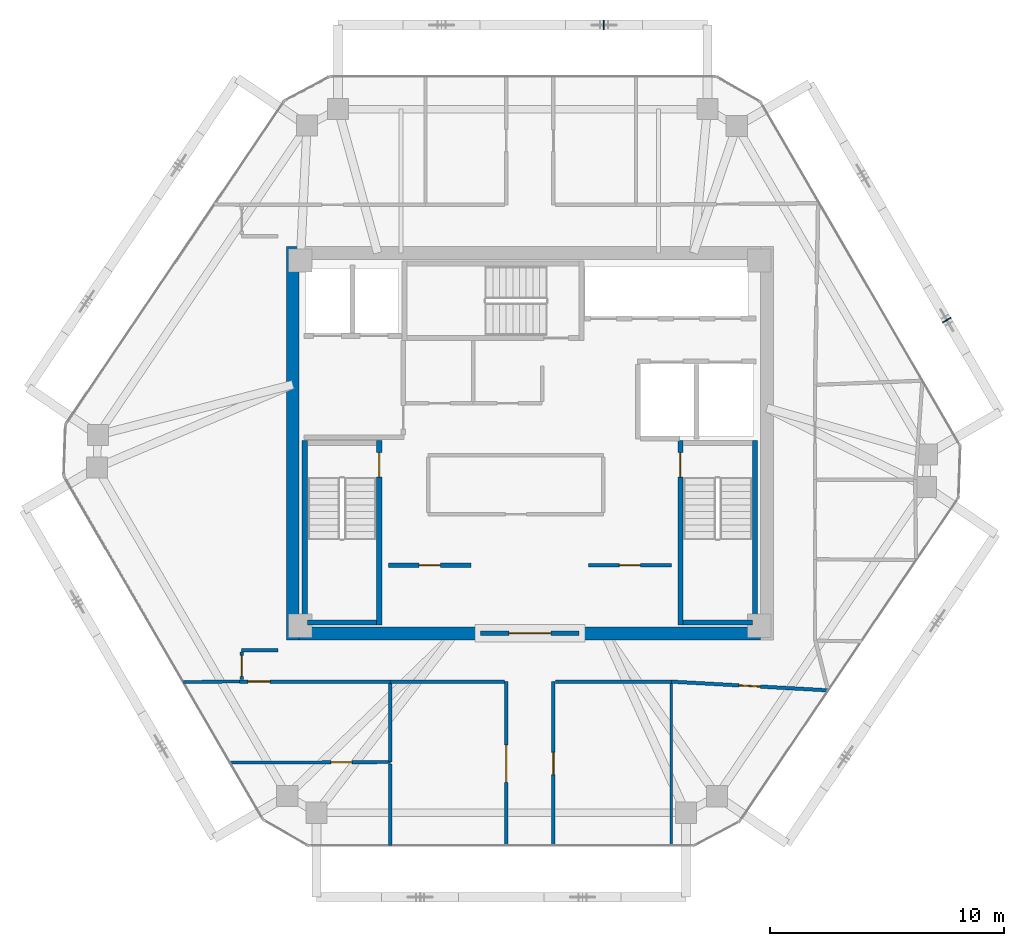
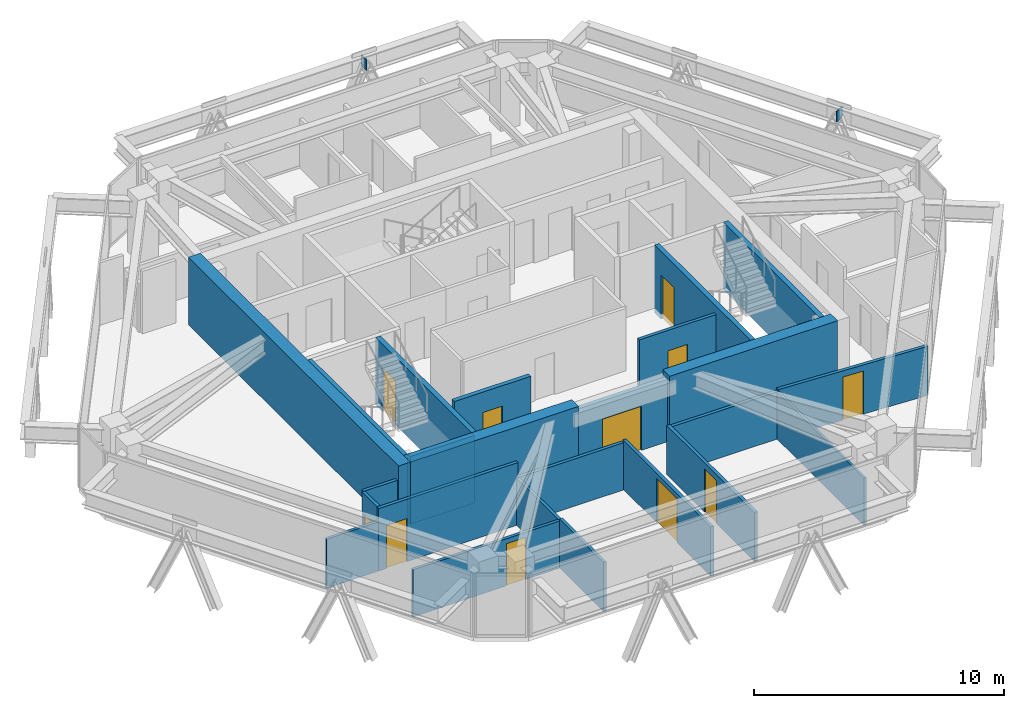
# One storey, part 9 of 13: 25 walls, 11 doors, 2 plates, 11 openings.
"""IFC4 building model written with IfcOpenShell, lengths in metres."""

from ifc_helpers import new_model, si_unit, direction, frame, frame_2d, origin, origin_2d, place, context, subcontext, project, spatial, rectangle, extrude, source, transform, mapped, material, layer, layer_set, type_object, type_shapes, element, fill, save


model = new_model("IFC4")

# Units and contexts
model_context = context("Model", 3, precision=1e-05, world=origin(), true_north=direction((0.0, 1.0)))
body_context = subcontext(model_context, "Body", "Model", "MODEL_VIEW")
ifc_project = project(units=[si_unit("LENGTHUNIT", "METRE"), si_unit("AREAUNIT", "SQUARE_METRE"), si_unit("VOLUMEUNIT", "CUBIC_METRE"), si_unit("PLANEANGLEUNIT", "RADIAN"), si_unit("MASSUNIT", "GRAM", prefix="KILO")], contexts=[model_context])

# Site, building, storey
site_placement = place(None, origin())
site = spatial("IfcSite", under=ifc_project, at=site_placement, CompositionType="ELEMENT")
building_placement = place(site_placement, origin())
building = spatial("IfcBuilding", under=site, at=building_placement, Name="Durnholm Broadcast Tower", CompositionType="ELEMENT")
storey_placement = place(building_placement, frame((0.0, 0.0, 241.39990234375)))
storey = spatial("IfcBuildingStorey", under=building, at=storey_placement, Name="L67", CompositionType="ELEMENT", Elevation=241.39990234375)

# Plates
ifc_material_1 = material(Name="Steel ASTM A572 Grade 50", Category="steel")
ifc_layer_1 = layer(ifc_material_1, 0.044921875)
ifc_layer_set_1 = layer_set([ifc_layer_1], Name="Steel ASTM A572 Grade 50")
plate_type = type_object("IfcPlateType", Name="PLT-KN-STIF", PredefinedType="SHEET", material=ifc_layer_set_1)
shared_shape_1 = source(origin(), body_context, "Body", "SweptSolid", [
    extrude(rectangle(XDim=0.044921875, YDim=0.419921875, at=origin_2d()), origin(), (0.0, 0.0, 1.0), 0.52001953125),
])
type_shapes(plate_type, [shared_shape_1])
for number, where, z_axis, x_axis, name in (
    (1, (17.806640625, 5.2548828125, 2.048583984375), (0.0, 0.0, 1.0), (-0.501963660617, 0.864888711581, 0.0), "L67 welded diagrid node stiffener plate F3"),
    (2, (3.164794921875, 17.862060546875, 2.048583984375), (0.0, 0.0, 1.0), (-1.0, 0.0, 0.0), "L67 welded diagrid node stiffener plate F4"),
):
    element("IfcPlate", number, at=place(storey_placement, frame(where, z_axis=z_axis, x_axis=x_axis)), inside=storey, type_object=plate_type, Name=name, PredefinedType="SHEET", context=body_context, shape_type="MappedRepresentation", body=[
        mapped(shared_shape_1, transform((0.0, 0.0, 0.0), x_axis=(1.0, 0.0, 0.0), y_axis=(0.0, 1.0, 0.0), z_axis=(0.0, 0.0, 1.0), scale=1.0)),
    ])

# Walls
ifc_material_2 = material(Name="Concrete C70/85", Category="concrete")
ifc_layer_2 = layer(ifc_material_2, 0.550048828125)
ifc_layer_set_2 = layer_set([ifc_layer_2], Name="Concrete C70/85")
wall_type_1 = type_object("IfcWallType", Name="WALL-CW-550", PredefinedType="SHEAR", material=ifc_layer_set_2)
wall_1_placement = place(storey_placement, frame((-10.125, -8.39990234375, 0.0), z_axis=(0.0, 0.0, 1.0), x_axis=(0.0, 1.0, 0.0)))
element("IfcWall", 3, at=wall_1_placement, inside=storey, type_object=wall_type_1, Name="L67 central core shear wall CW-WEST", PredefinedType="SHEAR", context=body_context, shape_type="SweptSolid", body=[
    extrude(rectangle(XDim=16.7998046875, YDim=0.550048828125, at=frame_2d((8.39990234375, 0.0))), origin(), (0.0, 0.0, 1.0), 3.300048828125),
])
for number, where, z_axis, x_axis, name in (
    (4, (-9.85009765625, -8.125, 0.0), (0.0, 0.0, 1.0), (1.0, 0.0, 0.0), "L67 central core shear wall CW-S1"),
    (5, (2.10009765625, -8.125, 0.0), (0.0, 0.0, 1.0), (1.0, 0.0, 0.0), "L67 central core shear wall CW-S2"),
):
    element("IfcWall", number, at=place(storey_placement, frame(where, z_axis=z_axis, x_axis=x_axis)), inside=storey, type_object=wall_type_1, Name=name, PredefinedType="SHEAR", context=body_context, shape_type="SweptSolid", body=[
        extrude(rectangle(XDim=7.75, YDim=0.550048828125, at=frame_2d((3.875, 0.0))), origin(), (0.0, 0.0, 1.0), 3.300048828125),
    ])

# Wall, opening, door
ifc_material_3 = material(Name="Fire-Rated Gypsum Shaftwall", Category="concrete")
ifc_layer_3 = layer(ifc_material_3, 0.199951171875)
ifc_layer_set_3 = layer_set([ifc_layer_3], Name="Fire-Rated Gypsum Shaftwall")
wall_type_2 = type_object("IfcWallType", Name="WALL-LOB-200", PredefinedType="SOLIDWALL", material=ifc_layer_set_3)
wall_2_placement = place(storey_placement, frame((-2.10009765625, -8.125, 0.0), z_axis=(0.0, 0.0, 1.0), x_axis=(1.0, 0.0, 0.0)))
wall_2 = element("IfcWall", 6, at=wall_2_placement, inside=storey, type_object=wall_type_2, Name="L67 south core lobby fire screen", PredefinedType="SOLIDWALL", context=body_context, shape_type="SweptSolid", body=[
    extrude(rectangle(XDim=4.2001953125, YDim=0.199951171875, at=frame_2d((2.10009765625, 0.0))), origin(), (0.0, 0.0, 1.0), 3.045166015625),
])
opening_1_placement = place(wall_2_placement, frame((1.199951171875, 0.0, 0.0)))
opening_1 = element("IfcOpeningElement", 7, at=opening_1_placement, cuts=wall_2, Name="Opening DP-60", PredefinedType="OPENING", context=body_context, shape_type="SweptSolid", body=[
    extrude(rectangle(XDim=1.800048828125, YDim=2.14990234375, at=frame_2d((0.89990234375, 1.074951171875))), frame((0.0, 0.10986328125, 0.0), z_axis=(0.0, -1.0, 0.0), x_axis=(1.0, 0.0, 0.0)), (0.0, 0.0, 1.0), 0.219970703125),
])
ifc_material_4 = material(Name="Fire-Rated Double Corridor Door", Category="steel")
ifc_layer_4 = layer(ifc_material_4, 0.050048828125)
ifc_layer_set_4 = layer_set([ifc_layer_4], Name="Fire-Rated Double Corridor Door")
door_type_1 = type_object("IfcDoorType", Name="DOOR-PAIR-FD60", OperationType="DOUBLE_DOOR_SINGLE_SWING", PredefinedType="DOOR", material=ifc_layer_set_4)
shared_shape_2 = source(origin(), body_context, "Body", "SweptSolid", [
    extrude(rectangle(XDim=1.800048828125, YDim=2.14990234375, at=frame_2d((0.89990234375, 1.074951171875))), frame((0.0, 0.02490234375, 0.0), z_axis=(0.0, -1.0, 0.0), x_axis=(1.0, 0.0, 0.0)), (0.0, 0.0, 1.0), 0.050048828125),
])
type_shapes(door_type_1, [shared_shape_2])
door_1_placement = place(opening_1_placement, origin())
door_1 = element("IfcDoor", 8, at=door_1_placement, inside=storey, type_object=door_type_1, Name="L67 south core lobby double fire door", OperationType="DOUBLE_DOOR_SINGLE_SWING", OverallHeight=2.14990234375, OverallWidth=1.800048828125, PredefinedType="DOOR", context=body_context, shape_type="MappedRepresentation", body=[
    mapped(shared_shape_2, transform((0.0, 0.0, 0.0), x_axis=(1.0, 0.0, 0.0), y_axis=(0.0, 1.0, 0.0), z_axis=(0.0, 0.0, 1.0), scale=1.0)),
])
fill(opening_1, door_1)

wall_3_placement = place(storey_placement, frame((-6.0400390625, -5.2099609375, 0.0), z_axis=(0.0, 0.0, 1.0), x_axis=(1.0, 0.0, 0.0)))
wall_3 = element("IfcWall", 9, at=wall_3_placement, inside=storey, type_object=wall_type_2, Name="L67 Broadcast Signal Rack Room corridor partition", PredefinedType="SOLIDWALL", context=body_context, shape_type="SweptSolid", body=[
    extrude(rectangle(XDim=3.530029296875, YDim=0.199951171875, at=frame_2d((1.76513671875, 0.0))), origin(), (0.0, 0.0, 1.0), 3.045166015625),
])
opening_2_placement = place(wall_3_placement, frame((1.31494140625, 0.0, 0.0)))
opening_2 = element("IfcOpeningElement", 10, at=opening_2_placement, cuts=wall_3, Name="Opening DC-60R", PredefinedType="OPENING", context=body_context, shape_type="SweptSolid", body=[
    extrude(rectangle(XDim=0.89990234375, YDim=2.050048828125, at=frame_2d((0.449951171875, 1.02490234375))), frame((0.0, 0.10986328125, 0.0), z_axis=(0.0, -1.0, 0.0), x_axis=(1.0, 0.0, 0.0)), (0.0, 0.0, 1.0), 0.219970703125),
])
ifc_material_5 = material(Name="Fire-Rated Core Service Door", Category="steel")
ifc_layer_5 = layer(ifc_material_5, 0.050048828125)
ifc_layer_set_5 = layer_set([ifc_layer_5], Name="Fire-Rated Core Service Door")
door_type_2 = type_object("IfcDoorType", Name="DOOR-CORE-FD60-R", OperationType="NOTDEFINED", PredefinedType="DOOR", material=ifc_layer_set_5)
shared_shape_3 = source(origin(), body_context, "Body", "SweptSolid", [
    extrude(rectangle(XDim=0.89990234375, YDim=2.050048828125, at=frame_2d((0.449951171875, 1.02490234375))), frame((0.0, 0.02490234375, 0.0), z_axis=(0.0, -1.0, 0.0), x_axis=(1.0, 0.0, 0.0)), (0.0, 0.0, 1.0), 0.050048828125),
])
type_shapes(door_type_2, [shared_shape_3])
door_2_placement = place(opening_2_placement, origin())
door_2 = element("IfcDoor", 11, at=door_2_placement, inside=storey, type_object=door_type_2, Name="L67 Broadcast Signal Rack Room entrance door", OperationType="SINGLE_SWING_RIGHT", OverallHeight=2.050048828125, OverallWidth=0.89990234375, PredefinedType="DOOR", context=body_context, shape_type="MappedRepresentation", body=[
    mapped(shared_shape_3, transform((0.0, 0.0, 0.0), x_axis=(1.0, 0.0, 0.0), y_axis=(0.0, 1.0, 0.0), z_axis=(0.0, 0.0, 1.0), scale=1.0)),
])
fill(opening_2, door_2)

# Wall
ifc_material_6 = material(Name="Operable Acoustic Panel Partition", Category="aluminium")
ifc_layer_6 = layer(ifc_material_6, 0.110107421875)
ifc_layer_set_6 = layer_set([ifc_layer_6], Name="Operable Acoustic Panel Partition")
wall_type_3 = type_object("IfcWallType", Name="WALL-MOV-110", PredefinedType="MOVABLE", material=ifc_layer_set_6)
wall_4_placement = place(storey_placement, frame((6.0400390625, -10.263671875, 0.0), z_axis=(0.0, 0.0, 1.0), x_axis=(0.0, -1.0, 0.0)))
element("IfcWall", 12, at=wall_4_placement, inside=storey, type_object=wall_type_3, Name="L67 room dividing partition 16.17", PredefinedType="MOVABLE", context=body_context, shape_type="SweptSolid", body=[
    extrude(rectangle(XDim=6.92236328125, YDim=0.110107421875, at=frame_2d((3.461181640625, 0.0))), origin(), (0.0, 0.0, 1.0), 2.301513671875),
])

# Wall, opening, door
ifc_material_7 = material(Name="Gypsum Metal Stud Partition", Category="concrete")
ifc_layer_7 = layer(ifc_material_7, 0.135009765625)
ifc_layer_set_7 = layer_set([ifc_layer_7], Name="Gypsum Metal Stud Partition")
wall_type_4 = type_object("IfcWallType", Name="WALL-PART-135", PredefinedType="PARTITIONING", material=ifc_layer_set_7)
wall_5_placement = place(storey_placement, frame((-12.803466796875, -13.64306640625, 0.0), z_axis=(0.0, 0.0, 1.0), x_axis=(0.999995721242, 0.002925320151, 0.0)))
wall_5 = element("IfcWall", 13, at=wall_5_placement, inside=storey, type_object=wall_type_4, Name="L67 room dividing partition 13.14", PredefinedType="PARTITIONING", context=body_context, shape_type="SweptSolid", body=[
    extrude(rectangle(XDim=6.843505859375, YDim=0.135009765625, at=frame_2d((3.421875, 0.0))), origin(), (0.0, 0.0, 1.0), 2.301513671875),
])
opening_3_placement = place(wall_5_placement, frame((4.31005859375, 0.0, 0.0)))
opening_3 = element("IfcOpeningElement", 14, at=opening_3_placement, cuts=wall_5, Name="Opening DW-90L", PredefinedType="OPENING", context=body_context, shape_type="SweptSolid", body=[
    extrude(rectangle(XDim=0.89990234375, YDim=2.050048828125, at=frame_2d((0.449951171875, 1.02490234375))), frame((0.0, 0.07763671875, 0.0), z_axis=(0.0, -1.0, 0.0), x_axis=(1.0, 0.0, 0.0)), (0.0, 0.0, 1.0), 0.155029296875),
])
ifc_material_8 = material(Name="Laminate Restroom Door", Category="steel")
ifc_layer_8 = layer(ifc_material_8, 0.050048828125)
ifc_layer_set_8 = layer_set([ifc_layer_8], Name="Laminate Restroom Door")
door_type_3 = type_object("IfcDoorType", Name="DOOR-WC-900L", OperationType="NOTDEFINED", PredefinedType="DOOR", material=ifc_layer_set_8)
shared_shape_4 = source(origin(), body_context, "Body", "SweptSolid", [
    extrude(rectangle(XDim=0.89990234375, YDim=2.050048828125, at=frame_2d((0.449951171875, 1.02490234375))), frame((0.0, 0.02490234375, 0.0), z_axis=(0.0, -1.0, 0.0), x_axis=(1.0, 0.0, 0.0)), (0.0, 0.0, 1.0), 0.050048828125),
])
type_shapes(door_type_3, [shared_shape_4])
door_3_placement = place(opening_3_placement, origin())
door_3 = element("IfcDoor", 15, at=door_3_placement, inside=storey, type_object=door_type_3, Name="L67 Pantry Kitchen connecting door", OperationType="SINGLE_SWING_LEFT", OverallHeight=2.050048828125, OverallWidth=0.89990234375, PredefinedType="DOOR", context=body_context, shape_type="MappedRepresentation", body=[
    mapped(shared_shape_4, transform((0.0, 0.0, 0.0), x_axis=(1.0, 0.0, 0.0), y_axis=(0.0, 1.0, 0.0), z_axis=(0.0, 0.0, 1.0), scale=1.0)),
])
fill(opening_3, door_3)

# Walls
wall_6_placement = place(storey_placement, frame((-5.9599609375, -13.694580078125, 0.0), z_axis=(0.0, 0.0, 1.0), x_axis=(0.0, -1.0, 0.0)))
element("IfcWall", 16, at=wall_6_placement, inside=storey, type_object=wall_type_4, Name="L67 room dividing partition 13.15", PredefinedType="PARTITIONING", context=body_context, shape_type="SweptSolid", body=[
    extrude(rectangle(XDim=3.491455078125, YDim=0.135009765625, at=frame_2d((1.74560546875, 0.0))), origin(), (0.0, 0.0, 1.0), 2.39892578125),
])
wall_7_placement = place(storey_placement, frame((-5.9599609375, -10.259033203125, 0.0), z_axis=(0.0, 0.0, 1.0), x_axis=(0.0, -1.0, 0.0)))
element("IfcWall", 17, at=wall_7_placement, inside=storey, type_object=wall_type_4, Name="L67 room dividing partition 14.15", PredefinedType="PARTITIONING", context=body_context, shape_type="SweptSolid", body=[
    extrude(rectangle(XDim=3.364013671875, YDim=0.135009765625, at=frame_2d((1.68212890625, 0.0))), origin(), (0.0, 0.0, 1.0), 2.301513671875),
])
wall_8_placement = place(storey_placement, frame((-14.801513671875, -10.199951171875, 0.0), z_axis=(0.0, 0.0, 1.0), x_axis=(0.999968020968, 0.007997314604, 0.0)))
element("IfcWall", 18, at=wall_8_placement, inside=storey, type_object=wall_type_4, Name="L67 room dividing partition 14.18", PredefinedType="PARTITIONING", context=body_context, shape_type="SweptSolid", body=[
    extrude(rectangle(XDim=2.41162109375, YDim=0.135009765625, at=frame_2d((1.205810546875, 0.0))), origin(), (0.0, 0.0, 1.0), 2.39892578125),
])

# Wall, opening, door
ifc_material_9 = material(Name="Acoustic Gypsum Stud Partition", Category="concrete")
ifc_layer_9 = layer(ifc_material_9, 0.14990234375)
ifc_layer_set_9 = layer_set([ifc_layer_9], Name="Acoustic Gypsum Stud Partition")
wall_type_5 = type_object("IfcWallType", Name="WALL-PART-150", PredefinedType="PARTITIONING", material=ifc_layer_set_9)
wall_9_placement = place(storey_placement, frame((2.510009765625, -5.2099609375, 0.0), z_axis=(0.0, 0.0, 1.0), x_axis=(1.0, 0.0, 0.0)))
wall_9 = element("IfcWall", 19, at=wall_9_placement, inside=storey, type_object=wall_type_5, Name="L67 Editorial Beverage Pantry corridor partition", PredefinedType="PARTITIONING", context=body_context, shape_type="SweptSolid", body=[
    extrude(rectangle(XDim=3.530029296875, YDim=0.14990234375, at=frame_2d((1.76513671875, 0.0))), origin(), (0.0, 0.0, 1.0), 3.045166015625),
])
opening_4_placement = place(wall_9_placement, frame((1.31494140625, 0.0, 0.0)))
opening_4 = element("IfcOpeningElement", 20, at=opening_4_placement, cuts=wall_9, Name="Opening DC-60L", PredefinedType="OPENING", context=body_context, shape_type="SweptSolid", body=[
    extrude(rectangle(XDim=0.89990234375, YDim=2.050048828125, at=frame_2d((0.449951171875, 1.02490234375))), frame((0.0, 0.0849609375, 0.0), z_axis=(0.0, -1.0, 0.0), x_axis=(1.0, 0.0, 0.0)), (0.0, 0.0, 1.0), 0.169921875),
])
ifc_layer_10 = layer(ifc_material_5, 0.050048828125)
ifc_layer_set_10 = layer_set([ifc_layer_10], Name="Fire-Rated Core Service Door")
door_type_4 = type_object("IfcDoorType", Name="DOOR-CORE-FD60-L", OperationType="NOTDEFINED", PredefinedType="DOOR", material=ifc_layer_set_10)
shared_shape_5 = source(origin(), body_context, "Body", "SweptSolid", [
    extrude(rectangle(XDim=0.89990234375, YDim=2.050048828125, at=frame_2d((0.449951171875, 1.02490234375))), frame((0.0, 0.02490234375, 0.0), z_axis=(0.0, -1.0, 0.0), x_axis=(1.0, 0.0, 0.0)), (0.0, 0.0, 1.0), 0.050048828125),
])
type_shapes(door_type_4, [shared_shape_5])
door_4_placement = place(opening_4_placement, origin())
door_4 = element("IfcDoor", 21, at=door_4_placement, inside=storey, type_object=door_type_4, Name="L67 Editorial Beverage Pantry entrance door", OperationType="SINGLE_SWING_LEFT", OverallHeight=2.050048828125, OverallWidth=0.89990234375, PredefinedType="DOOR", context=body_context, shape_type="MappedRepresentation", body=[
    mapped(shared_shape_5, transform((0.0, 0.0, 0.0), x_axis=(1.0, 0.0, 0.0), y_axis=(0.0, 1.0, 0.0), z_axis=(0.0, 0.0, 1.0), scale=1.0)),
])
fill(opening_4, door_4)

wall_10_placement = place(storey_placement, frame((-12.389892578125, -10.179931640625, 0.0), z_axis=(0.0, 0.0, 1.0), x_axis=(1.0, 0.0, 0.0)))
wall_10 = element("IfcWall", 22, at=wall_10_placement, inside=storey, type_object=wall_type_5, Name="L67 Standards Office corridor partition", PredefinedType="PARTITIONING", context=body_context, shape_type="SweptSolid", body=[
    extrude(rectangle(XDim=6.429931640625, YDim=0.14990234375, at=frame_2d((3.21484375, 0.0))), origin(), (0.0, 0.0, 1.0), 3.045166015625),
])
opening_5_placement = place(wall_10_placement, frame((0.35009765625, 0.0, 0.0)))
opening_5 = element("IfcOpeningElement", 23, at=opening_5_placement, cuts=wall_10, Name="Opening DR-95R", PredefinedType="OPENING", context=body_context, shape_type="SweptSolid", body=[
    extrude(rectangle(XDim=0.949951171875, YDim=2.10009765625, at=frame_2d((0.47509765625, 1.050048828125))), frame((0.0, 0.0849609375, 0.0), z_axis=(0.0, -1.0, 0.0), x_axis=(1.0, 0.0, 0.0)), (0.0, 0.0, 1.0), 0.169921875),
])
ifc_material_10 = material(Name="Acoustic Oak Veneer Timber Door", Category="wood")
ifc_layer_11 = layer(ifc_material_10, 0.050048828125)
ifc_layer_set_11 = layer_set([ifc_layer_11], Name="Acoustic Oak Veneer Timber Door")
door_type_5 = type_object("IfcDoorType", Name="DOOR-RM-950R", OperationType="NOTDEFINED", PredefinedType="DOOR", material=ifc_layer_set_11)
shared_shape_6 = source(origin(), body_context, "Body", "SweptSolid", [
    extrude(rectangle(XDim=0.949951171875, YDim=2.10009765625, at=frame_2d((0.47509765625, 1.050048828125))), frame((0.0, 0.02490234375, 0.0), z_axis=(0.0, -1.0, 0.0), x_axis=(1.0, 0.0, 0.0)), (0.0, 0.0, 1.0), 0.050048828125),
])
type_shapes(door_type_5, [shared_shape_6])
door_5_placement = place(opening_5_placement, origin())
door_5 = element("IfcDoor", 24, at=door_5_placement, inside=storey, type_object=door_type_5, Name="L67 Standards Office entrance door", OperationType="SINGLE_SWING_RIGHT", OverallHeight=2.10009765625, OverallWidth=0.949951171875, PredefinedType="DOOR", context=body_context, shape_type="MappedRepresentation", body=[
    mapped(shared_shape_6, transform((0.0, 0.0, 0.0), x_axis=(1.0, 0.0, 0.0), y_axis=(0.0, 1.0, 0.0), z_axis=(0.0, 0.0, 1.0), scale=1.0)),
])
fill(opening_5, door_5)

wall_11_placement = place(storey_placement, frame((-1.010009765625, -10.179931640625, 0.0), z_axis=(0.0, 0.0, 1.0), x_axis=(0.0, -1.0, 0.0)))
wall_11 = element("IfcWall", 25, at=wall_11_placement, inside=storey, type_object=wall_type_5, Name="L67 International Council Hall corridor partition", PredefinedType="PARTITIONING", context=body_context, shape_type="SweptSolid", body=[
    extrude(rectangle(XDim=7.006103515625, YDim=0.14990234375, at=frame_2d((3.5029296875, 0.0))), origin(), (0.0, 0.0, 1.0), 2.39892578125),
])
opening_6_placement = place(wall_11_placement, frame((2.702880859375, 0.0, 0.0)))
opening_6 = element("IfcOpeningElement", 26, at=opening_6_placement, cuts=wall_11, Name="Opening DST-160", PredefinedType="OPENING", context=body_context, shape_type="SweptSolid", body=[
    extrude(rectangle(XDim=1.60009765625, YDim=2.14990234375, at=frame_2d((0.800048828125, 1.074951171875))), frame((0.0, 0.0849609375, 0.0), z_axis=(0.0, -1.0, 0.0), x_axis=(1.0, 0.0, 0.0)), (0.0, 0.0, 1.0), 0.169921875),
])
ifc_material_11 = material(Name="Acoustic Broadcast Studio Sound-Lock Door", Category="steel")
ifc_layer_12 = layer(ifc_material_11, 0.050048828125)
ifc_layer_set_12 = layer_set([ifc_layer_12], Name="Acoustic Broadcast Studio Sound-Lock Door")
door_type_6 = type_object("IfcDoorType", Name="DOOR-STU-1600", OperationType="DOUBLE_DOOR_SINGLE_SWING", PredefinedType="DOOR", material=ifc_layer_set_12)
shared_shape_7 = source(origin(), body_context, "Body", "SweptSolid", [
    extrude(rectangle(XDim=1.60009765625, YDim=2.14990234375, at=frame_2d((0.800048828125, 1.074951171875))), frame((0.0, 0.02490234375, 0.0), z_axis=(0.0, -1.0, 0.0), x_axis=(1.0, 0.0, 0.0)), (0.0, 0.0, 1.0), 0.050048828125),
])
type_shapes(door_type_6, [shared_shape_7])
door_6_placement = place(opening_6_placement, origin())
door_6 = element("IfcDoor", 27, at=door_6_placement, inside=storey, type_object=door_type_6, Name="L67 International Council Hall entrance door", OperationType="DOUBLE_DOOR_SINGLE_SWING", OverallHeight=2.14990234375, OverallWidth=1.60009765625, PredefinedType="DOOR", context=body_context, shape_type="MappedRepresentation", body=[
    mapped(shared_shape_7, transform((0.0, 0.0, 0.0), x_axis=(1.0, 0.0, 0.0), y_axis=(0.0, 1.0, 0.0), z_axis=(0.0, 0.0, 1.0), scale=1.0)),
])
fill(opening_6, door_6)

# Wall
wall_12_placement = place(storey_placement, frame((-5.9599609375, -10.179931640625, 0.0), z_axis=(0.0, 0.0, 1.0), x_axis=(1.0, 0.0, 0.0)))
element("IfcWall", 28, at=wall_12_placement, inside=storey, type_object=wall_type_5, Name="L67 International Council Hall corridor partition", PredefinedType="PARTITIONING", context=body_context, shape_type="SweptSolid", body=[
    extrude(rectangle(XDim=4.870849609375, YDim=0.14990234375, at=frame_2d((2.435546875, 0.0))), origin(), (0.0, 0.0, 1.0), 2.301513671875),
])

# Wall, opening, door
wall_13_placement = place(storey_placement, frame((1.010009765625, -17.18603515625, 0.0), z_axis=(0.0, 0.0, 1.0), x_axis=(0.0, 1.0, 0.0)))
wall_13 = element("IfcWall", 29, at=wall_13_placement, inside=storey, type_object=wall_type_5, Name="L67 Global Bureaus Meeting Room corridor partition", PredefinedType="PARTITIONING", context=body_context, shape_type="SweptSolid", body=[
    extrude(rectangle(XDim=7.006103515625, YDim=0.14990234375, at=frame_2d((3.5029296875, 0.0))), origin(), (0.0, 0.0, 1.0), 2.39892578125),
])
opening_7_placement = place(wall_13_placement, frame((3.028076171875, 0.0, 0.0)))
opening_7 = element("IfcOpeningElement", 30, at=opening_7_placement, cuts=wall_13, Name="Opening DR-95R", PredefinedType="OPENING", context=body_context, shape_type="SweptSolid", body=[
    extrude(rectangle(XDim=0.949951171875, YDim=2.10009765625, at=frame_2d((0.47509765625, 1.050048828125))), frame((0.0, 0.0849609375, 0.0), z_axis=(0.0, -1.0, 0.0), x_axis=(1.0, 0.0, 0.0)), (0.0, 0.0, 1.0), 0.169921875),
])
door_7_placement = place(opening_7_placement, origin())
door_7 = element("IfcDoor", 31, at=door_7_placement, inside=storey, type_object=door_type_5, Name="L67 Global Bureaus Meeting Room entrance door", OperationType="SINGLE_SWING_RIGHT", OverallHeight=2.10009765625, OverallWidth=0.949951171875, PredefinedType="DOOR", context=body_context, shape_type="MappedRepresentation", body=[
    mapped(shared_shape_6, transform((0.0, 0.0, 0.0), x_axis=(1.0, 0.0, 0.0), y_axis=(0.0, 1.0, 0.0), z_axis=(0.0, 0.0, 1.0), scale=1.0)),
])
fill(opening_7, door_7)

# Wall
wall_14_placement = place(storey_placement, frame((1.089111328125, -10.179931640625, 0.0), z_axis=(0.0, 0.0, 1.0), x_axis=(1.0, 0.0, 0.0)))
element("IfcWall", 32, at=wall_14_placement, inside=storey, type_object=wall_type_5, Name="L67 Global Bureaus Meeting Room corridor partition", PredefinedType="PARTITIONING", context=body_context, shape_type="SweptSolid", body=[
    extrude(rectangle(XDim=4.950927734375, YDim=0.14990234375, at=frame_2d((2.4755859375, 0.0))), origin(), (0.0, 0.0, 1.0), 2.301513671875),
])

# Wall, opening, door
wall_15_placement = place(storey_placement, frame((6.0400390625, -10.1845703125, 0.0), z_axis=(0.0, 0.0, 1.0), x_axis=(0.998451046252, -0.055637291801, 0.0)))
wall_15 = element("IfcWall", 33, at=wall_15_placement, inside=storey, type_object=wall_type_5, Name="L67 Open Plan Broadcast Workspace 4 corridor partition", PredefinedType="PARTITIONING", context=body_context, shape_type="SweptSolid", body=[
    extrude(rectangle(XDim=6.70947265625, YDim=0.14990234375, at=frame_2d((3.354736328125, 0.0))), origin(), (0.0, 0.0, 1.0), 2.39892578125),
])
opening_8_placement = place(wall_15_placement, frame((2.89453125, 0.0, 0.0)))
opening_8 = element("IfcOpeningElement", 34, at=opening_8_placement, cuts=wall_15, Name="Opening DR-92L", PredefinedType="OPENING", context=body_context, shape_type="SweptSolid", body=[
    extrude(rectangle(XDim=0.919921875, YDim=2.10009765625, at=frame_2d((0.4599609375, 1.050048828125))), frame((0.0, 0.0849609375, 0.0), z_axis=(0.0, -1.0, 0.0), x_axis=(1.0, 0.0, 0.0)), (0.0, 0.0, 1.0), 0.169921875),
])
ifc_material_12 = material(Name="Oak Veneer Office Door", Category="wood")
ifc_layer_13 = layer(ifc_material_12, 0.050048828125)
ifc_layer_set_13 = layer_set([ifc_layer_13], Name="Oak Veneer Office Door")
door_type_7 = type_object("IfcDoorType", Name="DOOR-RM-920L", OperationType="NOTDEFINED", PredefinedType="DOOR", material=ifc_layer_set_13)
shared_shape_8 = source(origin(), body_context, "Body", "SweptSolid", [
    extrude(rectangle(XDim=0.919921875, YDim=2.10009765625, at=frame_2d((0.4599609375, 1.050048828125))), frame((0.0, 0.02490234375, 0.0), z_axis=(0.0, -1.0, 0.0), x_axis=(1.0, 0.0, 0.0)), (0.0, 0.0, 1.0), 0.050048828125),
])
type_shapes(door_type_7, [shared_shape_8])
door_8_placement = place(opening_8_placement, origin())
door_8 = element("IfcDoor", 35, at=door_8_placement, inside=storey, type_object=door_type_7, Name="L67 Open Plan Broadcast Workspace 4 entrance door", OperationType="SINGLE_SWING_LEFT", OverallHeight=2.10009765625, OverallWidth=0.919921875, PredefinedType="DOOR", context=body_context, shape_type="MappedRepresentation", body=[
    mapped(shared_shape_8, transform((0.0, 0.0, 0.0), x_axis=(1.0, 0.0, 0.0), y_axis=(0.0, 1.0, 0.0), z_axis=(0.0, 0.0, 1.0), scale=1.0)),
])
fill(opening_8, door_8)

# Wall
wall_16_placement = place(storey_placement, frame((-10.760009765625, -8.840087890625, 0.0), z_axis=(0.0, 0.0, 1.0), x_axis=(-1.0, 0.0, 0.0)))
element("IfcWall", 36, at=wall_16_placement, inside=storey, type_object=wall_type_5, Name="L67 Council Dining Room corridor partition", PredefinedType="PARTITIONING", context=body_context, shape_type="SweptSolid", body=[
    extrude(rectangle(XDim=1.550048828125, YDim=0.14990234375, at=frame_2d((0.77490234375, 0.0))), origin(), (0.0, 0.0, 1.0), 3.045166015625),
])

# Wall, opening, door
wall_17_placement = place(storey_placement, frame((-12.31005859375, -8.9189453125, 0.0), z_axis=(0.0, 0.0, 1.0), x_axis=(0.0, -1.0, 0.0)))
wall_17 = element("IfcWall", 37, at=wall_17_placement, inside=storey, type_object=wall_type_5, Name="L67 Council Dining Room corridor partition", PredefinedType="PARTITIONING", context=body_context, shape_type="SweptSolid", body=[
    extrude(rectangle(XDim=1.18212890625, YDim=0.14990234375, at=frame_2d((0.591064453125, 0.0))), origin(), (0.0, 0.0, 1.0), 3.045166015625),
])
opening_9_placement = place(wall_17_placement, frame((0.14111328125, 0.0, 0.0)))
opening_9 = element("IfcOpeningElement", 38, at=opening_9_placement, cuts=wall_17, Name="Opening DW-90L", PredefinedType="OPENING", context=body_context, shape_type="SweptSolid", body=[
    extrude(rectangle(XDim=0.89990234375, YDim=2.050048828125, at=frame_2d((0.449951171875, 1.02490234375))), frame((0.0, 0.0849609375, 0.0), z_axis=(0.0, -1.0, 0.0), x_axis=(1.0, 0.0, 0.0)), (0.0, 0.0, 1.0), 0.169921875),
])
door_9_placement = place(opening_9_placement, origin())
door_9 = element("IfcDoor", 39, at=door_9_placement, inside=storey, type_object=door_type_3, Name="L67 Council Dining Room entrance door", OperationType="SINGLE_SWING_LEFT", OverallHeight=2.050048828125, OverallWidth=0.89990234375, PredefinedType="DOOR", context=body_context, shape_type="MappedRepresentation", body=[
    mapped(shared_shape_4, transform((0.0, 0.0, 0.0), x_axis=(1.0, 0.0, 0.0), y_axis=(0.0, 1.0, 0.0), z_axis=(0.0, 0.0, 1.0), scale=1.0)),
])
fill(opening_9, door_9)

ifc_material_13 = material(Name="Concrete C50/60", Category="concrete")
ifc_layer_14 = layer(ifc_material_13, 0.219970703125)
ifc_layer_set_14 = layer_set([ifc_layer_14], Name="Concrete C50/60")
wall_type_6 = type_object("IfcWallType", Name="WALL-SW-220", PredefinedType="SHEAR", material=ifc_layer_set_14)
wall_18_placement = place(storey_placement, frame((-6.429931640625, -7.77001953125, -0.239990234375), z_axis=(0.0, 0.0, 1.0), x_axis=(0.0, 1.0, 0.0)))
wall_18 = element("IfcWall", 40, at=wall_18_placement, inside=storey, type_object=wall_type_6, Name="L67 stair ST-1 structural shaft wall E", PredefinedType="SHEAR", context=body_context, shape_type="SweptSolid", body=[
    extrude(rectangle(XDim=7.89013671875, YDim=0.219970703125, at=frame_2d((3.945068359375, 0.0))), origin(), (0.0, 0.0, 1.0), 3.300048828125),
])
opening_10_placement = place(wall_18_placement, frame((6.320068359375, 0.0, 0.0)))
opening_10 = element("IfcOpeningElement", 41, at=opening_10_placement, cuts=wall_18, Name="Opening DS-90L", PredefinedType="OPENING", context=body_context, shape_type="SweptSolid", body=[
    extrude(rectangle(XDim=1.050048828125, YDim=2.14990234375, at=frame_2d((0.52490234375, 1.074951171875))), frame((0.0, 0.1201171875, 0.0), z_axis=(0.0, -1.0, 0.0), x_axis=(1.0, 0.0, 0.0)), (0.0, 0.0, 1.0), 0.239990234375),
])
ifc_material_14 = material(Name="Fire-Rated Steel Door", Category="steel")
ifc_layer_15 = layer(ifc_material_14, 0.050048828125)
ifc_layer_set_15 = layer_set([ifc_layer_15], Name="Fire-Rated Steel Door")
door_type_8 = type_object("IfcDoorType", Name="DOOR-ST-FD90-L", OperationType="NOTDEFINED", PredefinedType="DOOR", material=ifc_layer_set_15)
shared_shape_9 = source(origin(), body_context, "Body", "SweptSolid", [
    extrude(rectangle(XDim=1.050048828125, YDim=2.14990234375, at=frame_2d((0.52490234375, 1.074951171875))), frame((0.0, 0.02490234375, 0.0), z_axis=(0.0, -1.0, 0.0), x_axis=(1.0, 0.0, 0.0)), (0.0, 0.0, 1.0), 0.050048828125),
])
type_shapes(door_type_8, [shared_shape_9])
door_10_placement = place(opening_10_placement, origin())
door_10 = element("IfcDoor", 42, at=door_10_placement, inside=storey, type_object=door_type_8, Name="L67 exit stair ST-1 fire door", OperationType="SINGLE_SWING_LEFT", OverallHeight=2.14990234375, OverallWidth=1.050048828125, PredefinedType="DOOR", context=body_context, shape_type="MappedRepresentation", body=[
    mapped(shared_shape_9, transform((0.0, 0.0, 0.0), x_axis=(1.0, 0.0, 0.0), y_axis=(0.0, 1.0, 0.0), z_axis=(0.0, 0.0, 1.0), scale=1.0)),
])
fill(opening_10, door_10)

# Walls
wall_19_placement = place(storey_placement, frame((-9.610107421875, 0.1201171875, -0.239990234375), z_axis=(0.0, 0.0, 1.0), x_axis=(0.0, -1.0, 0.0)))
element("IfcWall", 43, at=wall_19_placement, inside=storey, type_object=wall_type_6, Name="L67 stair ST-1 structural shaft wall W", PredefinedType="SHEAR", context=body_context, shape_type="SweptSolid", body=[
    extrude(rectangle(XDim=7.89013671875, YDim=0.219970703125, at=frame_2d((3.945068359375, 0.0))), origin(), (0.0, 0.0, 1.0), 3.300048828125),
])
wall_20_placement = place(storey_placement, frame((-9.5, -7.659912109375, -0.239990234375), z_axis=(0.0, 0.0, 1.0), x_axis=(1.0, 0.0, 0.0)))
element("IfcWall", 44, at=wall_20_placement, inside=storey, type_object=wall_type_6, Name="L67 stair ST-1 structural shaft wall S", PredefinedType="SHEAR", context=body_context, shape_type="SweptSolid", body=[
    extrude(rectangle(XDim=2.9599609375, YDim=0.219970703125, at=frame_2d((1.47998046875, 0.0))), origin(), (0.0, 0.0, 1.0), 3.300048828125),
])
wall_21_placement = place(storey_placement, frame((9.610107421875, -7.77001953125, -0.239990234375), z_axis=(0.0, 0.0, 1.0), x_axis=(0.0, 1.0, 0.0)))
element("IfcWall", 45, at=wall_21_placement, inside=storey, type_object=wall_type_6, Name="L67 stair ST-2 structural shaft wall E", PredefinedType="SHEAR", context=body_context, shape_type="SweptSolid", body=[
    extrude(rectangle(XDim=7.89013671875, YDim=0.219970703125, at=frame_2d((3.945068359375, 0.0))), origin(), (0.0, 0.0, 1.0), 3.300048828125),
])

# Wall, opening, door
wall_22_placement = place(storey_placement, frame((6.429931640625, 0.1201171875, -0.239990234375), z_axis=(0.0, 0.0, 1.0), x_axis=(0.0, -1.0, 0.0)))
wall_22 = element("IfcWall", 46, at=wall_22_placement, inside=storey, type_object=wall_type_6, Name="L67 stair ST-2 structural shaft wall W", PredefinedType="SHEAR", context=body_context, shape_type="SweptSolid", body=[
    extrude(rectangle(XDim=7.89013671875, YDim=0.219970703125, at=frame_2d((3.945068359375, 0.0))), origin(), (0.0, 0.0, 1.0), 3.300048828125),
])
opening_11_placement = place(wall_22_placement, frame((0.52001953125, 0.0, 0.0)))
opening_11 = element("IfcOpeningElement", 47, at=opening_11_placement, cuts=wall_22, Name="Opening DS-90R", PredefinedType="OPENING", context=body_context, shape_type="SweptSolid", body=[
    extrude(rectangle(XDim=1.050048828125, YDim=2.14990234375, at=frame_2d((0.52490234375, 1.074951171875))), frame((0.0, 0.1201171875, 0.0), z_axis=(0.0, -1.0, 0.0), x_axis=(1.0, 0.0, 0.0)), (0.0, 0.0, 1.0), 0.239990234375),
])
ifc_layer_16 = layer(ifc_material_14, 0.050048828125)
ifc_layer_set_16 = layer_set([ifc_layer_16], Name="Fire-Rated Steel Door")
door_type_9 = type_object("IfcDoorType", Name="DOOR-ST-FD90-R", OperationType="NOTDEFINED", PredefinedType="DOOR", material=ifc_layer_set_16)
shared_shape_10 = source(origin(), body_context, "Body", "SweptSolid", [
    extrude(rectangle(XDim=1.050048828125, YDim=2.14990234375, at=frame_2d((0.52490234375, 1.074951171875))), frame((0.0, 0.02490234375, 0.0), z_axis=(0.0, -1.0, 0.0), x_axis=(1.0, 0.0, 0.0)), (0.0, 0.0, 1.0), 0.050048828125),
])
type_shapes(door_type_9, [shared_shape_10])
door_11_placement = place(opening_11_placement, origin())
door_11 = element("IfcDoor", 48, at=door_11_placement, inside=storey, type_object=door_type_9, Name="L67 exit stair ST-2 fire door", OperationType="SINGLE_SWING_RIGHT", OverallHeight=2.14990234375, OverallWidth=1.050048828125, PredefinedType="DOOR", context=body_context, shape_type="MappedRepresentation", body=[
    mapped(shared_shape_10, transform((0.0, 0.0, 0.0), x_axis=(1.0, 0.0, 0.0), y_axis=(0.0, 1.0, 0.0), z_axis=(0.0, 0.0, 1.0), scale=1.0)),
])
fill(opening_11, door_11)

# Wall
wall_23_placement = place(storey_placement, frame((6.5400390625, -7.659912109375, -0.239990234375), z_axis=(0.0, 0.0, 1.0), x_axis=(1.0, 0.0, 0.0)))
element("IfcWall", 49, at=wall_23_placement, inside=storey, type_object=wall_type_6, Name="L67 stair ST-2 structural shaft wall S", PredefinedType="SHEAR", context=body_context, shape_type="SweptSolid", body=[
    extrude(rectangle(XDim=2.9599609375, YDim=0.219970703125, at=frame_2d((1.47998046875, 0.0))), origin(), (0.0, 0.0, 1.0), 3.300048828125),
])

save(model, "model.ifc")
